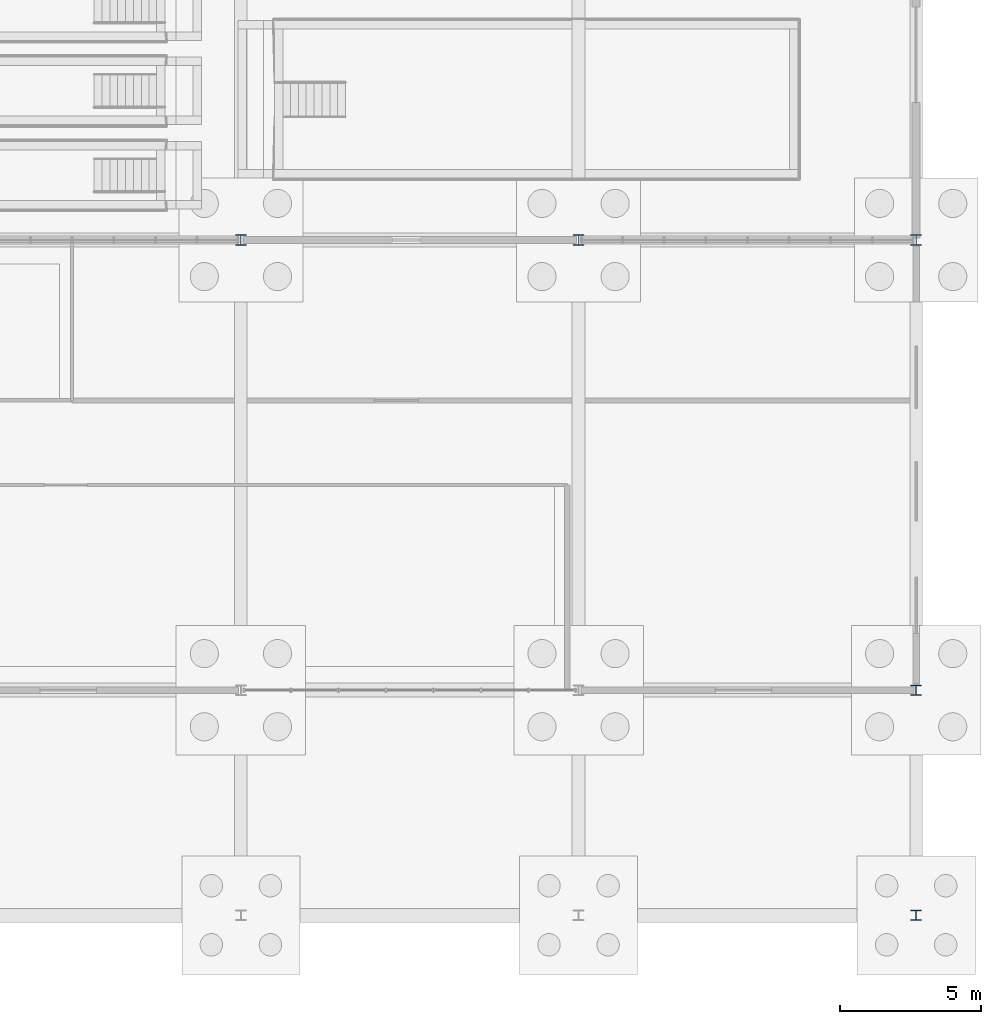
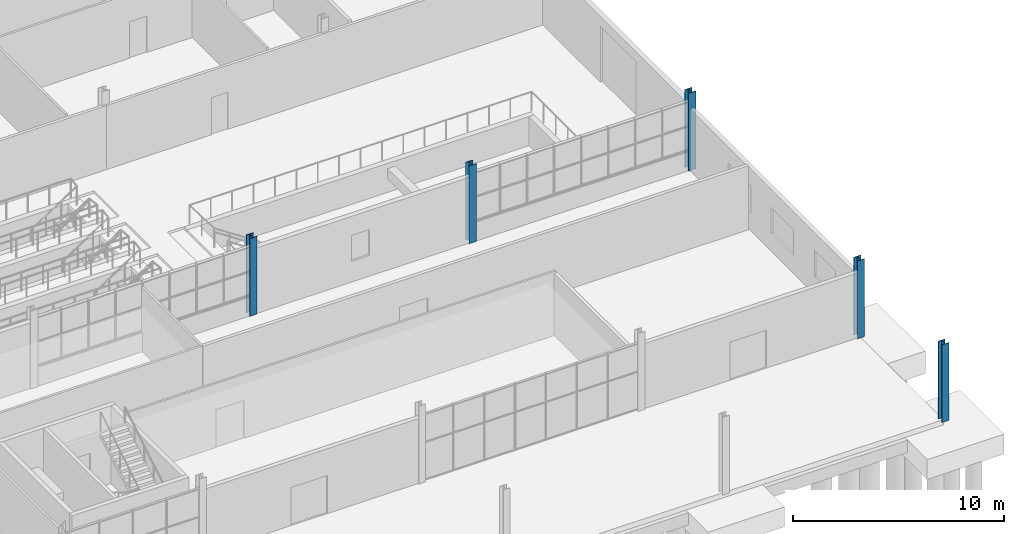
# One storey, part 22 of 136: 5 columns.
"""IFC4 building model written with IfcOpenShell, lengths in metres."""

from ifc_helpers import new_model, si_unit, direction, frame, origin, origin_2d, place, context, subcontext, project, spatial, i_section, extrude, material, material_profile, profile_set, type_object, element, save


model = new_model("IFC4")

# Units and contexts
model_context = context("Model", 3, precision=1e-05, world=origin(), true_north=direction((0.0, 1.0)))
body_context = subcontext(model_context, "Body", "Model", "MODEL_VIEW")
ifc_project = project(units=[si_unit("LENGTHUNIT", "METRE"), si_unit("AREAUNIT", "SQUARE_METRE"), si_unit("VOLUMEUNIT", "CUBIC_METRE"), si_unit("PLANEANGLEUNIT", "RADIAN"), si_unit("MASSUNIT", "GRAM", prefix="KILO")], contexts=[model_context])

# Site, building, storey
site_placement = place(None, origin())
site = spatial("IfcSite", under=ifc_project, at=site_placement, CompositionType="ELEMENT")
building_placement = place(site_placement, origin())
building = spatial("IfcBuilding", under=site, at=building_placement, Name="Solvenia Promenade Tram Depot", CompositionType="ELEMENT")
storey_placement = place(building_placement, origin())
storey = spatial("IfcBuildingStorey", under=building, at=storey_placement, Name="L00", CompositionType="ELEMENT", Elevation=0.0)

# Columns
ifc_material = material(Name="Structural steel ASTM A992 Gr. 50", Category="steel")
ifc_material_profile_1 = material_profile(ifc_material, i_section(OverallWidth=0.373046875, OverallDepth=0.367919921875, WebThickness=0.014892578125, FlangeThickness=0.02392578125, FilletRadius=0.014892578125, at=origin_2d()), Name="W360x179", Category="steel")
ifc_profile_set_1 = profile_set([ifc_material_profile_1], Name="Structural steel ASTM A992 Gr. 50")
column_type_1 = type_object("IfcColumnType", Name="Col-W360x179", PredefinedType="COLUMN", material=ifc_profile_set_1)
for number, where, z_axis, x_axis, name in (
    (1, (186.0, 0.0, 0.0), (0.0, 0.0, 1.0), (1.0, 0.0, 0.0), "Steel Column COL-L00-357"),
    (2, (186.0, 8.0, 0.0), (0.0, 0.0, 1.0), (1.0, 0.0, 0.0), "Steel Column COL-L00-358"),
):
    element("IfcColumn", number, at=place(storey_placement, frame(where, z_axis=z_axis, x_axis=x_axis)), inside=storey, type_object=column_type_1, Name=name, PredefinedType="COLUMN", context=body_context, shape_type="SweptSolid", body=[
        extrude(i_section(OverallWidth=0.373046875, OverallDepth=0.367919921875, WebThickness=0.014892578125, FlangeThickness=0.02392578125, FilletRadius=0.014892578125, at=origin_2d()), origin(), (0.0, 0.0, 1.0), 4.5),
    ])
ifc_material_profile_2 = material_profile(ifc_material, i_section(OverallWidth=0.39404296875, OverallDepth=0.375, WebThickness=0.0205078125, FlangeThickness=0.033203125, FilletRadius=0.01806640625, at=origin_2d()), Name="W360x216", Category="steel")
ifc_profile_set_2 = profile_set([ifc_material_profile_2], Name="Structural steel ASTM A992 Gr. 50")
column_type_2 = type_object("IfcColumnType", Name="Col-W360x216", PredefinedType="COLUMN", material=ifc_profile_set_2)
for number, where, z_axis, x_axis, name in (
    (3, (162.0, 24.0, 0.0), (0.0, 0.0, 1.0), (1.0, 0.0, 0.0), "Steel Column COL-L00-327"),
    (4, (174.0, 24.0, 0.0), (0.0, 0.0, 1.0), (1.0, 0.0, 0.0), "Steel Column COL-L00-345"),
    (5, (186.0, 24.0, 0.0), (0.0, 0.0, 1.0), (1.0, 0.0, 0.0), "Steel Column COL-L00-360"),
):
    element("IfcColumn", number, at=place(storey_placement, frame(where, z_axis=z_axis, x_axis=x_axis)), inside=storey, type_object=column_type_2, Name=name, PredefinedType="COLUMN", context=body_context, shape_type="SweptSolid", body=[
        extrude(i_section(OverallWidth=0.39404296875, OverallDepth=0.375, WebThickness=0.0205078125, FlangeThickness=0.033203125, FilletRadius=0.01806640625, at=origin_2d()), origin(), (0.0, 0.0, 1.0), 4.5),
    ])

save(model, "model.ifc")
